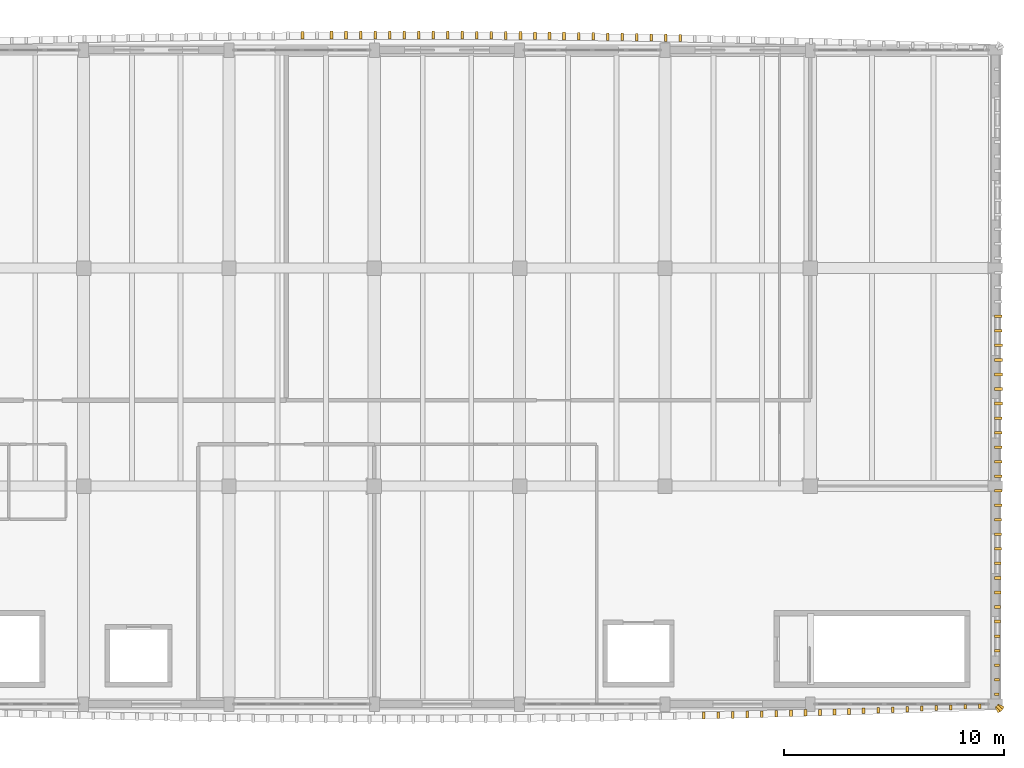
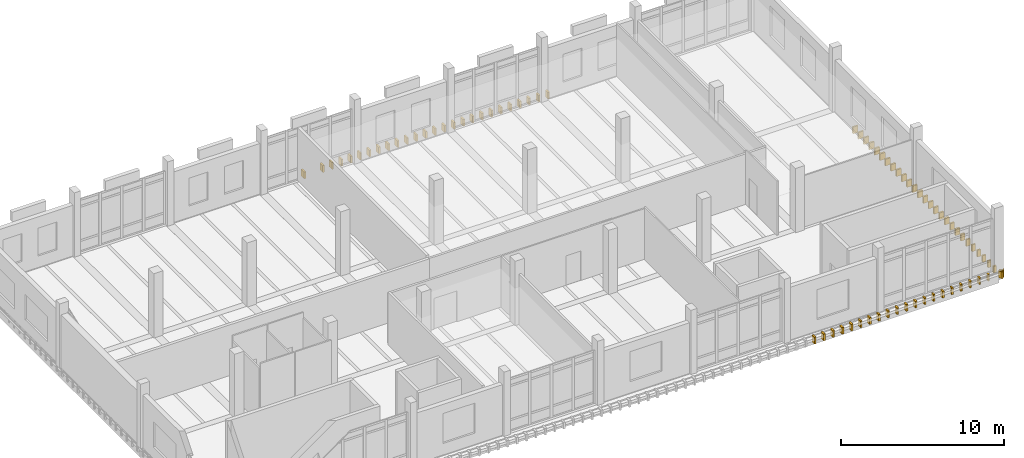
# One storey, part 36 of 37: 76 coverings.
"""IFC4 building model written with IfcOpenShell, lengths in metres."""

from ifc_helpers import new_model, si_unit, direction, frame, origin, origin_2d, place, context, subcontext, project, spatial, rectangle, extrude, material, layer, layer_set, type_object, element, save


model = new_model("IFC4")

# Units and contexts
model_context = context("Model", 3, precision=1e-05, world=origin(), true_north=direction((0.0, 1.0)))
body_context = subcontext(model_context, "Body", "Model", "MODEL_VIEW")
ifc_project = project(units=[si_unit("LENGTHUNIT", "METRE"), si_unit("AREAUNIT", "SQUARE_METRE"), si_unit("VOLUMEUNIT", "CUBIC_METRE"), si_unit("PLANEANGLEUNIT", "RADIAN"), si_unit("MASSUNIT", "GRAM", prefix="KILO")], contexts=[model_context])

# Site, building, storey
site_placement = place(None, origin())
site = spatial("IfcSite", under=ifc_project, at=site_placement, CompositionType="ELEMENT")
building_placement = place(site_placement, origin())
building = spatial("IfcBuilding", under=site, at=building_placement, Name="Dornvale Research Institute", CompositionType="ELEMENT")
storey_placement = place(building_placement, frame((0.0, 0.0, 29.39990234375)))
storey = spatial("IfcBuildingStorey", under=building, at=storey_placement, Name="L06", CompositionType="ELEMENT", Elevation=29.39990234375)

# Coverings
ifc_material = material(Name="Polychrome Glazed Terracotta Visor Rib Ceramic", Category="masonry")
ifc_layer = layer(ifc_material, 0.1201171875)
ifc_layer_set = layer_set([ifc_layer], Name="Polychrome Glazed Terracotta Visor Rib Ceramic")
covering_type = type_object("IfcCoveringType", Name="Covering_VisorBlade_Low", PredefinedType="CLADDING", material=ifc_layer_set)
covering_1_placement = place(storey_placement, frame((160.16162109375, 91.876953125, -0.489990234375), z_axis=(0.0, 0.0, 1.0), x_axis=(0.0, 1.0, 0.0)))
element("IfcCovering", 1, at=covering_1_placement, inside=storey, type_object=covering_type, Name="L06 V4 canted glazed terracotta visor blade #3087", PredefinedType="CLADDING", context=body_context, shape_type="SweptSolid", body=[
    extrude(rectangle(XDim=0.318115234375, YDim=0.1201171875, at=origin_2d()), origin(), (0.0, 0.0, 1.0), 0.5),
])
covering_2_placement = place(storey_placement, frame((160.821533203125, 91.893798828125, -0.489990234375), z_axis=(0.0, 0.0, 1.0), x_axis=(0.0, 1.0, 0.0)))
element("IfcCovering", 2, at=covering_2_placement, inside=storey, type_object=covering_type, Name="L06 V4 canted glazed terracotta visor blade #3088", PredefinedType="CLADDING", context=body_context, shape_type="SweptSolid", body=[
    extrude(rectangle(XDim=0.31298828125, YDim=0.1201171875, at=origin_2d()), origin(), (0.0, 0.0, 1.0), 0.5),
])
covering_3_placement = place(storey_placement, frame((161.481201171875, 91.910400390625, -0.489990234375), z_axis=(0.0, 0.0, 1.0), x_axis=(0.0, 1.0, 0.0)))
element("IfcCovering", 3, at=covering_3_placement, inside=storey, type_object=covering_type, Name="L06 V4 canted glazed terracotta visor blade #3089", PredefinedType="CLADDING", context=body_context, shape_type="SweptSolid", body=[
    extrude(rectangle(XDim=0.30908203125, YDim=0.1201171875, at=origin_2d()), origin(), (0.0, 0.0, 1.0), 0.5),
])
covering_4_placement = place(storey_placement, frame((162.14111328125, 91.927734375, -0.489990234375), z_axis=(0.0, 0.0, 1.0), x_axis=(0.0, 1.0, 0.0)))
element("IfcCovering", 4, at=covering_4_placement, inside=storey, type_object=covering_type, Name="L06 V4 canted glazed terracotta visor blade #3090", PredefinedType="CLADDING", context=body_context, shape_type="SweptSolid", body=[
    extrude(rectangle(XDim=0.304931640625, YDim=0.1201171875, at=origin_2d()), origin(), (0.0, 0.0, 1.0), 0.5),
])
covering_5_placement = place(storey_placement, frame((162.80078125, 91.9462890625, -0.489990234375), z_axis=(0.0, 0.0, 1.0), x_axis=(0.0, 1.0, 0.0)))
element("IfcCovering", 5, at=covering_5_placement, inside=storey, type_object=covering_type, Name="L06 V4 canted glazed terracotta visor blade #3091", PredefinedType="CLADDING", context=body_context, shape_type="SweptSolid", body=[
    extrude(rectangle(XDim=0.300048828125, YDim=0.1201171875, at=origin_2d()), origin(), (0.0, 0.0, 1.0), 0.5),
])
covering_6_placement = place(storey_placement, frame((163.460693359375, 91.96484375, -0.489990234375), z_axis=(0.0, 0.0, 1.0), x_axis=(0.0, 1.0, 0.0)))
element("IfcCovering", 6, at=covering_6_placement, inside=storey, type_object=covering_type, Name="L06 V4 canted glazed terracotta visor blade #3092", PredefinedType="CLADDING", context=body_context, shape_type="SweptSolid", body=[
    extrude(rectangle(XDim=0.294921875, YDim=0.1201171875, at=origin_2d()), origin(), (0.0, 0.0, 1.0), 0.5),
])
covering_7_placement = place(storey_placement, frame((164.12060546875, 91.985107421875, -0.489990234375), z_axis=(0.0, 0.0, 1.0), x_axis=(0.0, 1.0, 0.0)))
element("IfcCovering", 7, at=covering_7_placement, inside=storey, type_object=covering_type, Name="L06 V4 canted glazed terracotta visor blade #3093", PredefinedType="CLADDING", context=body_context, shape_type="SweptSolid", body=[
    extrude(rectangle(XDim=0.2900390625, YDim=0.1201171875, at=origin_2d()), origin(), (0.0, 0.0, 1.0), 0.5),
])
covering_8_placement = place(storey_placement, frame((164.7802734375, 92.00537109375, -0.489990234375), z_axis=(0.0, 0.0, 1.0), x_axis=(0.0, 1.0, 0.0)))
element("IfcCovering", 8, at=covering_8_placement, inside=storey, type_object=covering_type, Name="L06 V4 canted glazed terracotta visor blade #3094", PredefinedType="CLADDING", context=body_context, shape_type="SweptSolid", body=[
    extrude(rectangle(XDim=0.284912109375, YDim=0.1201171875, at=origin_2d()), origin(), (0.0, 0.0, 1.0), 0.5),
])
covering_9_placement = place(storey_placement, frame((165.43994140625, 92.0263671875, -0.489990234375), z_axis=(0.0, 0.0, 1.0), x_axis=(0.0, 1.0, 0.0)))
element("IfcCovering", 9, at=covering_9_placement, inside=storey, type_object=covering_type, Name="L06 V4 canted glazed terracotta visor blade #3095", PredefinedType="CLADDING", context=body_context, shape_type="SweptSolid", body=[
    extrude(rectangle(XDim=0.280029296875, YDim=0.1201171875, at=origin_2d()), origin(), (0.0, 0.0, 1.0), 0.5),
])
covering_10_placement = place(storey_placement, frame((166.099609375, 92.048583984375, -0.489990234375), z_axis=(0.0, 0.0, 1.0), x_axis=(0.0, 1.0, 0.0)))
element("IfcCovering", 10, at=covering_10_placement, inside=storey, type_object=covering_type, Name="L06 V4 canted glazed terracotta visor blade #3096", PredefinedType="CLADDING", context=body_context, shape_type="SweptSolid", body=[
    extrude(rectangle(XDim=0.27392578125, YDim=0.1201171875, at=origin_2d()), origin(), (0.0, 0.0, 1.0), 0.5),
])
covering_11_placement = place(storey_placement, frame((166.759521484375, 92.071044921875, -0.489990234375), z_axis=(0.0, 0.0, 1.0), x_axis=(0.0, 1.0, 0.0)))
element("IfcCovering", 11, at=covering_11_placement, inside=storey, type_object=covering_type, Name="L06 V4 canted glazed terracotta visor blade #3097", PredefinedType="CLADDING", context=body_context, shape_type="SweptSolid", body=[
    extrude(rectangle(XDim=0.26806640625, YDim=0.1201171875, at=origin_2d()), origin(), (0.0, 0.0, 1.0), 0.5),
])
covering_12_placement = place(storey_placement, frame((167.419189453125, 92.094970703125, -0.489990234375), z_axis=(0.0, 0.0, 1.0), x_axis=(0.0, 1.0, 0.0)))
element("IfcCovering", 12, at=covering_12_placement, inside=storey, type_object=covering_type, Name="L06 V4 canted glazed terracotta visor blade #3098", PredefinedType="CLADDING", context=body_context, shape_type="SweptSolid", body=[
    extrude(rectangle(XDim=0.261962890625, YDim=0.1201171875, at=origin_2d()), origin(), (0.0, 0.0, 1.0), 0.5),
])
covering_13_placement = place(storey_placement, frame((168.078857421875, 92.118896484375, -0.489990234375), z_axis=(0.0, 0.0, 1.0), x_axis=(0.0, 1.0, 0.0)))
element("IfcCovering", 13, at=covering_13_placement, inside=storey, type_object=covering_type, Name="L06 V4 canted glazed terracotta visor blade #3099", PredefinedType="CLADDING", context=body_context, shape_type="SweptSolid", body=[
    extrude(rectangle(XDim=0.256103515625, YDim=0.1201171875, at=origin_2d()), origin(), (0.0, 0.0, 1.0), 0.5),
])
covering_14_placement = place(storey_placement, frame((168.73828125, 92.1435546875, -0.489990234375), z_axis=(0.0, 0.0, 1.0), x_axis=(0.0, 1.0, 0.0)))
element("IfcCovering", 14, at=covering_14_placement, inside=storey, type_object=covering_type, Name="L06 V4 canted glazed terracotta visor blade #3100", PredefinedType="CLADDING", context=body_context, shape_type="SweptSolid", body=[
    extrude(rectangle(XDim=0.25, YDim=0.1201171875, at=origin_2d()), origin(), (0.0, 0.0, 1.0), 0.5),
])
covering_15_placement = place(storey_placement, frame((169.39794921875, 92.16943359375, -0.489990234375), z_axis=(0.0, 0.0, 1.0), x_axis=(0.0, 1.0, 0.0)))
element("IfcCovering", 15, at=covering_15_placement, inside=storey, type_object=covering_type, Name="L06 V4 canted glazed terracotta visor blade #3101", PredefinedType="CLADDING", context=body_context, shape_type="SweptSolid", body=[
    extrude(rectangle(XDim=0.242919921875, YDim=0.1201171875, at=origin_2d()), origin(), (0.0, 0.0, 1.0), 0.5),
])
covering_16_placement = place(storey_placement, frame((170.0576171875, 92.195068359375, -0.489990234375), z_axis=(0.0, 0.0, 1.0), x_axis=(0.0, 1.0, 0.0)))
element("IfcCovering", 16, at=covering_16_placement, inside=storey, type_object=covering_type, Name="L06 V4 canted glazed terracotta visor blade #3102", PredefinedType="CLADDING", context=body_context, shape_type="SweptSolid", body=[
    extrude(rectangle(XDim=0.237060546875, YDim=0.1201171875, at=origin_2d()), origin(), (0.0, 0.0, 1.0), 0.5),
])
covering_17_placement = place(storey_placement, frame((170.71728515625, 92.22265625, -0.489990234375), z_axis=(0.0, 0.0, 1.0), x_axis=(0.0, 1.0, 0.0)))
element("IfcCovering", 17, at=covering_17_placement, inside=storey, type_object=covering_type, Name="L06 V4 canted glazed terracotta visor blade #3103", PredefinedType="CLADDING", context=body_context, shape_type="SweptSolid", body=[
    extrude(rectangle(XDim=0.22998046875, YDim=0.1201171875, at=origin_2d()), origin(), (0.0, 0.0, 1.0), 0.5),
])
covering_18_placement = place(storey_placement, frame((171.376708984375, 92.25048828125, -0.489990234375), z_axis=(0.0, 0.0, 1.0), x_axis=(0.0, 1.0, 0.0)))
element("IfcCovering", 18, at=covering_18_placement, inside=storey, type_object=covering_type, Name="L06 V4 canted glazed terracotta visor blade #3104", PredefinedType="CLADDING", context=body_context, shape_type="SweptSolid", body=[
    extrude(rectangle(XDim=0.222900390625, YDim=0.1201171875, at=origin_2d()), origin(), (0.0, 0.0, 1.0), 0.5),
])
covering_19_placement = place(storey_placement, frame((172.036376953125, 92.27880859375, -0.489990234375), z_axis=(0.0, 0.0, 1.0), x_axis=(0.0, 1.0, 0.0)))
element("IfcCovering", 19, at=covering_19_placement, inside=storey, type_object=covering_type, Name="L06 V4 canted glazed terracotta visor blade #3105", PredefinedType="CLADDING", context=body_context, shape_type="SweptSolid", body=[
    extrude(rectangle(XDim=0.216064453125, YDim=0.1201171875, at=origin_2d()), origin(), (0.0, 0.0, 1.0), 0.5),
])
covering_20_placement = place(storey_placement, frame((172.69580078125, 92.30859375, -0.489990234375), z_axis=(0.0, 0.0, 1.0), x_axis=(0.0, 1.0, 0.0)))
element("IfcCovering", 20, at=covering_20_placement, inside=storey, type_object=covering_type, Name="L06 V4 canted glazed terracotta visor blade #3106", PredefinedType="CLADDING", context=body_context, shape_type="SweptSolid", body=[
    extrude(rectangle(XDim=0.2080078125, YDim=0.1201171875, at=origin_2d()), origin(), (0.0, 0.0, 1.0), 0.5),
])
covering_21_placement = place(storey_placement, frame((159.0966796875, 122.64697265625, -0.489990234375), z_axis=(0.0, 0.0, 1.0), x_axis=(0.0, 1.0, 0.0)))
element("IfcCovering", 21, at=covering_21_placement, inside=storey, type_object=covering_type, Name="L06 V4 canted glazed terracotta visor blade #3128", PredefinedType="CLADDING", context=body_context, shape_type="SweptSolid", body=[
    extrude(rectangle(XDim=0.323974609375, YDim=0.1201171875, at=origin_2d()), origin(), (0.0, 0.0, 1.0), 0.5),
])
covering_22_placement = place(storey_placement, frame((158.436767578125, 122.6611328125, -0.489990234375), z_axis=(0.0, 0.0, 1.0), x_axis=(0.0, 1.0, 0.0)))
element("IfcCovering", 22, at=covering_22_placement, inside=storey, type_object=covering_type, Name="L06 V4 canted glazed terracotta visor blade #3129", PredefinedType="CLADDING", context=body_context, shape_type="SweptSolid", body=[
    extrude(rectangle(XDim=0.326904296875, YDim=0.1201171875, at=origin_2d()), origin(), (0.0, 0.0, 1.0), 0.5),
])
covering_23_placement = place(storey_placement, frame((157.77685546875, 122.67431640625, -0.489990234375), z_axis=(0.0, 0.0, 1.0), x_axis=(0.0, 1.0, 0.0)))
element("IfcCovering", 23, at=covering_23_placement, inside=storey, type_object=covering_type, Name="L06 V4 canted glazed terracotta visor blade #3130", PredefinedType="CLADDING", context=body_context, shape_type="SweptSolid", body=[
    extrude(rectangle(XDim=0.3310546875, YDim=0.1201171875, at=origin_2d()), origin(), (0.0, 0.0, 1.0), 0.5),
])
covering_24_placement = place(storey_placement, frame((157.116943359375, 122.68701171875, -0.489990234375), z_axis=(0.0, 0.0, 1.0), x_axis=(0.0, 1.0, 0.0)))
element("IfcCovering", 24, at=covering_24_placement, inside=storey, type_object=covering_type, Name="L06 V4 canted glazed terracotta visor blade #3131", PredefinedType="CLADDING", context=body_context, shape_type="SweptSolid", body=[
    extrude(rectangle(XDim=0.333984375, YDim=0.1201171875, at=origin_2d()), origin(), (0.0, 0.0, 1.0), 0.5),
])
covering_25_placement = place(storey_placement, frame((156.45703125, 122.698974609375, -0.489990234375), z_axis=(0.0, 0.0, 1.0), x_axis=(0.0, 1.0, 0.0)))
element("IfcCovering", 25, at=covering_25_placement, inside=storey, type_object=covering_type, Name="L06 V4 canted glazed terracotta visor blade #3132", PredefinedType="CLADDING", context=body_context, shape_type="SweptSolid", body=[
    extrude(rectangle(XDim=0.3369140625, YDim=0.1201171875, at=origin_2d()), origin(), (0.0, 0.0, 1.0), 0.5),
])
covering_26_placement = place(storey_placement, frame((155.797119140625, 122.710205078125, -0.489990234375), z_axis=(0.0, 0.0, 1.0), x_axis=(0.0, 1.0, 0.0)))
element("IfcCovering", 26, at=covering_26_placement, inside=storey, type_object=covering_type, Name="L06 V4 canted glazed terracotta visor blade #3133", PredefinedType="CLADDING", context=body_context, shape_type="SweptSolid", body=[
    extrude(rectangle(XDim=0.340087890625, YDim=0.1201171875, at=origin_2d()), origin(), (0.0, 0.0, 1.0), 0.5),
])
covering_27_placement = place(storey_placement, frame((155.13720703125, 122.720703125, -0.489990234375), z_axis=(0.0, 0.0, 1.0), x_axis=(0.0, 1.0, 0.0)))
element("IfcCovering", 27, at=covering_27_placement, inside=storey, type_object=covering_type, Name="L06 V4 canted glazed terracotta visor blade #3134", PredefinedType="CLADDING", context=body_context, shape_type="SweptSolid", body=[
    extrude(rectangle(XDim=0.342041015625, YDim=0.1201171875, at=origin_2d()), origin(), (0.0, 0.0, 1.0), 0.5),
])
covering_28_placement = place(storey_placement, frame((154.477294921875, 122.730224609375, -0.489990234375), z_axis=(0.0, 0.0, 1.0), x_axis=(0.0, 1.0, 0.0)))
element("IfcCovering", 28, at=covering_28_placement, inside=storey, type_object=covering_type, Name="L06 V4 canted glazed terracotta visor blade #3135", PredefinedType="CLADDING", context=body_context, shape_type="SweptSolid", body=[
    extrude(rectangle(XDim=0.344970703125, YDim=0.1201171875, at=origin_2d()), origin(), (0.0, 0.0, 1.0), 0.5),
])
covering_29_placement = place(storey_placement, frame((153.817138671875, 122.7392578125, -0.489990234375), z_axis=(0.0, 0.0, 1.0), x_axis=(0.0, 1.0, 0.0)))
element("IfcCovering", 29, at=covering_29_placement, inside=storey, type_object=covering_type, Name="L06 V4 canted glazed terracotta visor blade #3136", PredefinedType="CLADDING", context=body_context, shape_type="SweptSolid", body=[
    extrude(rectangle(XDim=0.346923828125, YDim=0.1201171875, at=origin_2d()), origin(), (0.0, 0.0, 1.0), 0.5),
])
covering_30_placement = place(storey_placement, frame((153.1572265625, 122.747314453125, -0.489990234375), z_axis=(0.0, 0.0, 1.0), x_axis=(0.0, 1.0, 0.0)))
element("IfcCovering", 30, at=covering_30_placement, inside=storey, type_object=covering_type, Name="L06 V4 canted glazed terracotta visor blade #3137", PredefinedType="CLADDING", context=body_context, shape_type="SweptSolid", body=[
    extrude(rectangle(XDim=0.34912109375, YDim=0.1201171875, at=origin_2d()), origin(), (0.0, 0.0, 1.0), 0.5),
])
covering_31_placement = place(storey_placement, frame((152.497314453125, 122.7548828125, -0.489990234375), z_axis=(0.0, 0.0, 1.0), x_axis=(0.0, 1.0, 0.0)))
element("IfcCovering", 31, at=covering_31_placement, inside=storey, type_object=covering_type, Name="L06 V4 canted glazed terracotta visor blade #3138", PredefinedType="CLADDING", context=body_context, shape_type="SweptSolid", body=[
    extrude(rectangle(XDim=0.35107421875, YDim=0.1201171875, at=origin_2d()), origin(), (0.0, 0.0, 1.0), 0.5),
])
covering_32_placement = place(storey_placement, frame((151.83740234375, 122.76220703125, -0.489990234375), z_axis=(0.0, 0.0, 1.0), x_axis=(0.0, 1.0, 0.0)))
element("IfcCovering", 32, at=covering_32_placement, inside=storey, type_object=covering_type, Name="L06 V4 canted glazed terracotta visor blade #3139", PredefinedType="CLADDING", context=body_context, shape_type="SweptSolid", body=[
    extrude(rectangle(XDim=0.35302734375, YDim=0.1201171875, at=origin_2d()), origin(), (0.0, 0.0, 1.0), 0.5),
])
covering_33_placement = place(storey_placement, frame((151.17724609375, 122.767578125, -0.489990234375), z_axis=(0.0, 0.0, 1.0), x_axis=(0.0, 1.0, 0.0)))
element("IfcCovering", 33, at=covering_33_placement, inside=storey, type_object=covering_type, Name="L06 V4 canted glazed terracotta visor blade #3140", PredefinedType="CLADDING", context=body_context, shape_type="SweptSolid", body=[
    extrude(rectangle(XDim=0.35400390625, YDim=0.1201171875, at=origin_2d()), origin(), (0.0, 0.0, 1.0), 0.5),
])
covering_34_placement = place(storey_placement, frame((150.517333984375, 122.773193359375, -0.489990234375), z_axis=(0.0, 0.0, 1.0), x_axis=(0.0, 1.0, 0.0)))
element("IfcCovering", 34, at=covering_34_placement, inside=storey, type_object=covering_type, Name="L06 V4 canted glazed terracotta visor blade #3141", PredefinedType="CLADDING", context=body_context, shape_type="SweptSolid", body=[
    extrude(rectangle(XDim=0.35595703125, YDim=0.1201171875, at=origin_2d()), origin(), (0.0, 0.0, 1.0), 0.5),
])
covering_35_placement = place(storey_placement, frame((149.857421875, 122.77783203125, -0.489990234375), z_axis=(0.0, 0.0, 1.0), x_axis=(0.0, 1.0, 0.0)))
element("IfcCovering", 35, at=covering_35_placement, inside=storey, type_object=covering_type, Name="L06 V4 canted glazed terracotta visor blade #3142", PredefinedType="CLADDING", context=body_context, shape_type="SweptSolid", body=[
    extrude(rectangle(XDim=0.35693359375, YDim=0.1201171875, at=origin_2d()), origin(), (0.0, 0.0, 1.0), 0.5),
])
covering_36_placement = place(storey_placement, frame((149.197509765625, 122.781494140625, -0.489990234375), z_axis=(0.0, 0.0, 1.0), x_axis=(0.0, 1.0, 0.0)))
element("IfcCovering", 36, at=covering_36_placement, inside=storey, type_object=covering_type, Name="L06 V4 canted glazed terracotta visor blade #3143", PredefinedType="CLADDING", context=body_context, shape_type="SweptSolid", body=[
    extrude(rectangle(XDim=0.35791015625, YDim=0.1201171875, at=origin_2d()), origin(), (0.0, 0.0, 1.0), 0.5),
])
for number, where, z_axis, x_axis, name in (
    (37, (148.537353515625, 122.78515625, -0.489990234375), (0.0, 0.0, 1.0), (0.0, 1.0, 0.0), "L06 V4 canted glazed terracotta visor blade #3144"),
    (38, (147.87744140625, 122.78662109375, -0.489990234375), (0.0, 0.0, 1.0), (0.0, 1.0, 0.0), "L06 V4 canted glazed terracotta visor blade #3145"),
):
    element("IfcCovering", number, at=place(storey_placement, frame(where, z_axis=z_axis, x_axis=x_axis)), inside=storey, type_object=covering_type, Name=name, PredefinedType="CLADDING", context=body_context, shape_type="SweptSolid", body=[
        extrude(rectangle(XDim=0.35888671875, YDim=0.1201171875, at=origin_2d()), origin(), (0.0, 0.0, 1.0), 0.5),
    ])
for number, where, z_axis, x_axis, name in (
    (39, (147.21728515625, 122.788818359375, -0.489990234375), (0.0, 0.0, 1.0), (0.0, 1.0, 0.0), "L06 V4 canted glazed terracotta visor blade #3146"),
    (40, (146.557373046875, 122.78955078125, -0.489990234375), (0.0, 0.0, 1.0), (0.0, 1.0, 0.0), "L06 V4 canted glazed terracotta visor blade #3147"),
    (41, (145.8974609375, 122.78955078125, -0.489990234375), (0.0, 0.0, 1.0), (0.0, 1.0, 0.0), "L06 V4 canted glazed terracotta visor blade #3148"),
    (42, (145.2373046875, 122.789306640625, -0.489990234375), (0.0, 0.0, 1.0), (0.0, 1.0, 0.0), "L06 V4 canted glazed terracotta visor blade #3149"),
    (43, (144.577392578125, 122.787841796875, -0.489990234375), (0.0, 0.0, 1.0), (0.0, 1.0, 0.0), "L06 V4 canted glazed terracotta visor blade #3150"),
):
    element("IfcCovering", number, at=place(storey_placement, frame(where, z_axis=z_axis, x_axis=x_axis)), inside=storey, type_object=covering_type, Name=name, PredefinedType="CLADDING", context=body_context, shape_type="SweptSolid", body=[
        extrude(rectangle(XDim=0.360107421875, YDim=0.1201171875, at=origin_2d()), origin(), (0.0, 0.0, 1.0), 0.5),
    ])
covering_37_placement = place(storey_placement, frame((143.91748046875, 122.78564453125, -0.489990234375), z_axis=(0.0, 0.0, 1.0), x_axis=(0.0, 1.0, 0.0)))
element("IfcCovering", 44, at=covering_37_placement, inside=storey, type_object=covering_type, Name="L06 V4 canted glazed terracotta visor blade #3151", PredefinedType="CLADDING", context=body_context, shape_type="SweptSolid", body=[
    extrude(rectangle(XDim=0.35888671875, YDim=0.1201171875, at=origin_2d()), origin(), (0.0, 0.0, 1.0), 0.5),
])
covering_38_placement = place(storey_placement, frame((143.25732421875, 122.78271484375, -0.489990234375), z_axis=(0.0, 0.0, 1.0), x_axis=(0.0, 1.0, 0.0)))
element("IfcCovering", 45, at=covering_38_placement, inside=storey, type_object=covering_type, Name="L06 V4 canted glazed terracotta visor blade #3152", PredefinedType="CLADDING", context=body_context, shape_type="SweptSolid", body=[
    extrude(rectangle(XDim=0.35791015625, YDim=0.1201171875, at=origin_2d()), origin(), (0.0, 0.0, 1.0), 0.5),
])
covering_39_placement = place(storey_placement, frame((141.9375, 122.775146484375, -0.489990234375), z_axis=(0.0, 0.0, 1.0), x_axis=(0.0, 1.0, 0.0)))
element("IfcCovering", 46, at=covering_39_placement, inside=storey, type_object=covering_type, Name="L06 V4 canted glazed terracotta visor blade #3154", PredefinedType="CLADDING", context=body_context, shape_type="SweptSolid", body=[
    extrude(rectangle(XDim=0.35595703125, YDim=0.1201171875, at=origin_2d()), origin(), (0.0, 0.0, 1.0), 0.5),
])
covering_40_placement = place(storey_placement, frame((173.465087890625, 92.85009765625, -0.489990234375), z_axis=(0.0, 0.0, 1.0), x_axis=(1.0, 0.0, 0.0)))
element("IfcCovering", 47, at=covering_40_placement, inside=storey, type_object=covering_type, Name="L06 V4 canted glazed terracotta visor blade #3189", PredefinedType="CLADDING", context=body_context, shape_type="SweptSolid", body=[
    extrude(rectangle(XDim=0.2099609375, YDim=0.1201171875, at=origin_2d()), origin(), (0.0, 0.0, 1.0), 0.5),
])
covering_41_placement = place(storey_placement, frame((173.471435546875, 93.510009765625, -0.489990234375), z_axis=(0.0, 0.0, 1.0), x_axis=(1.0, 0.0, 0.0)))
element("IfcCovering", 48, at=covering_41_placement, inside=storey, type_object=covering_type, Name="L06 V4 canted glazed terracotta visor blade #3190", PredefinedType="CLADDING", context=body_context, shape_type="SweptSolid", body=[
    extrude(rectangle(XDim=0.222900390625, YDim=0.1201171875, at=origin_2d()), origin(), (0.0, 0.0, 1.0), 0.5),
])
covering_42_placement = place(storey_placement, frame((173.47802734375, 94.169921875, -0.489990234375), z_axis=(0.0, 0.0, 1.0), x_axis=(1.0, 0.0, 0.0)))
element("IfcCovering", 49, at=covering_42_placement, inside=storey, type_object=covering_type, Name="L06 V4 canted glazed terracotta visor blade #3191", PredefinedType="CLADDING", context=body_context, shape_type="SweptSolid", body=[
    extrude(rectangle(XDim=0.236083984375, YDim=0.1201171875, at=origin_2d()), origin(), (0.0, 0.0, 1.0), 0.5),
])
covering_43_placement = place(storey_placement, frame((173.48388671875, 94.830078125, -0.489990234375), z_axis=(0.0, 0.0, 1.0), x_axis=(1.0, 0.0, 0.0)))
element("IfcCovering", 50, at=covering_43_placement, inside=storey, type_object=covering_type, Name="L06 V4 canted glazed terracotta visor blade #3192", PredefinedType="CLADDING", context=body_context, shape_type="SweptSolid", body=[
    extrude(rectangle(XDim=0.248046875, YDim=0.1201171875, at=origin_2d()), origin(), (0.0, 0.0, 1.0), 0.5),
])
covering_44_placement = place(storey_placement, frame((173.489990234375, 95.489990234375, -0.489990234375), z_axis=(0.0, 0.0, 1.0), x_axis=(1.0, 0.0, 0.0)))
element("IfcCovering", 51, at=covering_44_placement, inside=storey, type_object=covering_type, Name="L06 V4 canted glazed terracotta visor blade #3193", PredefinedType="CLADDING", context=body_context, shape_type="SweptSolid", body=[
    extrude(rectangle(XDim=0.260009765625, YDim=0.1201171875, at=origin_2d()), origin(), (0.0, 0.0, 1.0), 0.5),
])
covering_45_placement = place(storey_placement, frame((173.49560546875, 96.14990234375, -0.489990234375), z_axis=(0.0, 0.0, 1.0), x_axis=(1.0, 0.0, 0.0)))
element("IfcCovering", 52, at=covering_45_placement, inside=storey, type_object=covering_type, Name="L06 V4 canted glazed terracotta visor blade #3194", PredefinedType="CLADDING", context=body_context, shape_type="SweptSolid", body=[
    extrude(rectangle(XDim=0.27099609375, YDim=0.1201171875, at=origin_2d()), origin(), (0.0, 0.0, 1.0), 0.5),
])
covering_46_placement = place(storey_placement, frame((173.50048828125, 96.81005859375, -0.489990234375), z_axis=(0.0, 0.0, 1.0), x_axis=(1.0, 0.0, 0.0)))
element("IfcCovering", 53, at=covering_46_placement, inside=storey, type_object=covering_type, Name="L06 V4 canted glazed terracotta visor blade #3195", PredefinedType="CLADDING", context=body_context, shape_type="SweptSolid", body=[
    extrude(rectangle(XDim=0.281005859375, YDim=0.1201171875, at=origin_2d()), origin(), (0.0, 0.0, 1.0), 0.5),
])
covering_47_placement = place(storey_placement, frame((173.505615234375, 97.469970703125, -0.489990234375), z_axis=(0.0, 0.0, 1.0), x_axis=(1.0, 0.0, 0.0)))
element("IfcCovering", 54, at=covering_47_placement, inside=storey, type_object=covering_type, Name="L06 V4 canted glazed terracotta visor blade #3196", PredefinedType="CLADDING", context=body_context, shape_type="SweptSolid", body=[
    extrude(rectangle(XDim=0.291015625, YDim=0.1201171875, at=origin_2d()), origin(), (0.0, 0.0, 1.0), 0.5),
])
covering_48_placement = place(storey_placement, frame((173.510009765625, 98.1298828125, -0.489990234375), z_axis=(0.0, 0.0, 1.0), x_axis=(1.0, 0.0, 0.0)))
element("IfcCovering", 55, at=covering_48_placement, inside=storey, type_object=covering_type, Name="L06 V4 canted glazed terracotta visor blade #3197", PredefinedType="CLADDING", context=body_context, shape_type="SweptSolid", body=[
    extrude(rectangle(XDim=0.300048828125, YDim=0.1201171875, at=origin_2d()), origin(), (0.0, 0.0, 1.0), 0.5),
])
covering_49_placement = place(storey_placement, frame((173.513916015625, 98.7900390625, -0.489990234375), z_axis=(0.0, 0.0, 1.0), x_axis=(1.0, 0.0, 0.0)))
element("IfcCovering", 56, at=covering_49_placement, inside=storey, type_object=covering_type, Name="L06 V4 canted glazed terracotta visor blade #3198", PredefinedType="CLADDING", context=body_context, shape_type="SweptSolid", body=[
    extrude(rectangle(XDim=0.30810546875, YDim=0.1201171875, at=origin_2d()), origin(), (0.0, 0.0, 1.0), 0.5),
])
covering_50_placement = place(storey_placement, frame((173.51806640625, 99.449951171875, -0.489990234375), z_axis=(0.0, 0.0, 1.0), x_axis=(1.0, 0.0, 0.0)))
element("IfcCovering", 57, at=covering_50_placement, inside=storey, type_object=covering_type, Name="L06 V4 canted glazed terracotta visor blade #3199", PredefinedType="CLADDING", context=body_context, shape_type="SweptSolid", body=[
    extrude(rectangle(XDim=0.31591796875, YDim=0.1201171875, at=origin_2d()), origin(), (0.0, 0.0, 1.0), 0.5),
])
covering_51_placement = place(storey_placement, frame((173.521484375, 100.110107421875, -0.489990234375), z_axis=(0.0, 0.0, 1.0), x_axis=(1.0, 0.0, 0.0)))
element("IfcCovering", 58, at=covering_51_placement, inside=storey, type_object=covering_type, Name="L06 V4 canted glazed terracotta visor blade #3200", PredefinedType="CLADDING", context=body_context, shape_type="SweptSolid", body=[
    extrude(rectangle(XDim=0.322998046875, YDim=0.1201171875, at=origin_2d()), origin(), (0.0, 0.0, 1.0), 0.5),
])
covering_52_placement = place(storey_placement, frame((173.52490234375, 100.77001953125, -0.489990234375), z_axis=(0.0, 0.0, 1.0), x_axis=(1.0, 0.0, 0.0)))
element("IfcCovering", 59, at=covering_52_placement, inside=storey, type_object=covering_type, Name="L06 V4 canted glazed terracotta visor blade #3201", PredefinedType="CLADDING", context=body_context, shape_type="SweptSolid", body=[
    extrude(rectangle(XDim=0.330078125, YDim=0.1201171875, at=origin_2d()), origin(), (0.0, 0.0, 1.0), 0.5),
])
covering_53_placement = place(storey_placement, frame((173.527587890625, 101.429931640625, -0.489990234375), z_axis=(0.0, 0.0, 1.0), x_axis=(1.0, 0.0, 0.0)))
element("IfcCovering", 60, at=covering_53_placement, inside=storey, type_object=covering_type, Name="L06 V4 canted glazed terracotta visor blade #3202", PredefinedType="CLADDING", context=body_context, shape_type="SweptSolid", body=[
    extrude(rectangle(XDim=0.3349609375, YDim=0.1201171875, at=origin_2d()), origin(), (0.0, 0.0, 1.0), 0.5),
])
covering_54_placement = place(storey_placement, frame((173.530517578125, 102.090087890625, -0.489990234375), z_axis=(0.0, 0.0, 1.0), x_axis=(1.0, 0.0, 0.0)))
element("IfcCovering", 61, at=covering_54_placement, inside=storey, type_object=covering_type, Name="L06 V4 canted glazed terracotta visor blade #3203", PredefinedType="CLADDING", context=body_context, shape_type="SweptSolid", body=[
    extrude(rectangle(XDim=0.341064453125, YDim=0.1201171875, at=origin_2d()), origin(), (0.0, 0.0, 1.0), 0.5),
])
covering_55_placement = place(storey_placement, frame((173.532470703125, 102.75, -0.489990234375), z_axis=(0.0, 0.0, 1.0), x_axis=(1.0, 0.0, 0.0)))
element("IfcCovering", 62, at=covering_55_placement, inside=storey, type_object=covering_type, Name="L06 V4 canted glazed terracotta visor blade #3204", PredefinedType="CLADDING", context=body_context, shape_type="SweptSolid", body=[
    extrude(rectangle(XDim=0.344970703125, YDim=0.1201171875, at=origin_2d()), origin(), (0.0, 0.0, 1.0), 0.5),
])
covering_56_placement = place(storey_placement, frame((173.534423828125, 103.409912109375, -0.489990234375), z_axis=(0.0, 0.0, 1.0), x_axis=(1.0, 0.0, 0.0)))
element("IfcCovering", 63, at=covering_56_placement, inside=storey, type_object=covering_type, Name="L06 V4 canted glazed terracotta visor blade #3205", PredefinedType="CLADDING", context=body_context, shape_type="SweptSolid", body=[
    extrude(rectangle(XDim=0.34912109375, YDim=0.1201171875, at=origin_2d()), origin(), (0.0, 0.0, 1.0), 0.5),
])
covering_57_placement = place(storey_placement, frame((173.53662109375, 104.070068359375, -0.489990234375), z_axis=(0.0, 0.0, 1.0), x_axis=(1.0, 0.0, 0.0)))
element("IfcCovering", 64, at=covering_57_placement, inside=storey, type_object=covering_type, Name="L06 V4 canted glazed terracotta visor blade #3206", PredefinedType="CLADDING", context=body_context, shape_type="SweptSolid", body=[
    extrude(rectangle(XDim=0.35302734375, YDim=0.1201171875, at=origin_2d()), origin(), (0.0, 0.0, 1.0), 0.5),
])
covering_58_placement = place(storey_placement, frame((173.53759765625, 104.72998046875, -0.489990234375), z_axis=(0.0, 0.0, 1.0), x_axis=(1.0, 0.0, 0.0)))
element("IfcCovering", 65, at=covering_58_placement, inside=storey, type_object=covering_type, Name="L06 V4 canted glazed terracotta visor blade #3207", PredefinedType="CLADDING", context=body_context, shape_type="SweptSolid", body=[
    extrude(rectangle(XDim=0.35498046875, YDim=0.1201171875, at=origin_2d()), origin(), (0.0, 0.0, 1.0), 0.5),
])
covering_59_placement = place(storey_placement, frame((173.53857421875, 105.389892578125, -0.489990234375), z_axis=(0.0, 0.0, 1.0), x_axis=(1.0, 0.0, 0.0)))
element("IfcCovering", 66, at=covering_59_placement, inside=storey, type_object=covering_type, Name="L06 V4 canted glazed terracotta visor blade #3208", PredefinedType="CLADDING", context=body_context, shape_type="SweptSolid", body=[
    extrude(rectangle(XDim=0.35693359375, YDim=0.1201171875, at=origin_2d()), origin(), (0.0, 0.0, 1.0), 0.5),
])
covering_60_placement = place(storey_placement, frame((173.53955078125, 106.050048828125, -0.489990234375), z_axis=(0.0, 0.0, 1.0), x_axis=(1.0, 0.0, 0.0)))
element("IfcCovering", 67, at=covering_60_placement, inside=storey, type_object=covering_type, Name="L06 V4 canted glazed terracotta visor blade #3209", PredefinedType="CLADDING", context=body_context, shape_type="SweptSolid", body=[
    extrude(rectangle(XDim=0.35888671875, YDim=0.1201171875, at=origin_2d()), origin(), (0.0, 0.0, 1.0), 0.5),
])
for number, where, z_axis, x_axis, name in (
    (68, (173.5400390625, 106.7099609375, -0.489990234375), (0.0, 0.0, 1.0), (1.0, 0.0, 0.0), "L06 V4 canted glazed terracotta visor blade #3210"),
    (69, (173.5400390625, 107.3701171875, -0.489990234375), (0.0, 0.0, 1.0), (1.0, 0.0, 0.0), "L06 V4 canted glazed terracotta visor blade #3211"),
    (70, (173.5400390625, 108.030029296875, -0.489990234375), (0.0, 0.0, 1.0), (1.0, 0.0, 0.0), "L06 V4 canted glazed terracotta visor blade #3212"),
):
    element("IfcCovering", number, at=place(storey_placement, frame(where, z_axis=z_axis, x_axis=x_axis)), inside=storey, type_object=covering_type, Name=name, PredefinedType="CLADDING", context=body_context, shape_type="SweptSolid", body=[
        extrude(rectangle(XDim=0.360107421875, YDim=0.1201171875, at=origin_2d()), origin(), (0.0, 0.0, 1.0), 0.5),
    ])
covering_61_placement = place(storey_placement, frame((173.5390625, 108.68994140625, -0.489990234375), z_axis=(0.0, 0.0, 1.0), x_axis=(1.0, 0.0, 0.0)))
element("IfcCovering", 71, at=covering_61_placement, inside=storey, type_object=covering_type, Name="L06 V4 canted glazed terracotta visor blade #3213", PredefinedType="CLADDING", context=body_context, shape_type="SweptSolid", body=[
    extrude(rectangle(XDim=0.35791015625, YDim=0.1201171875, at=origin_2d()), origin(), (0.0, 0.0, 1.0), 0.5),
])
covering_62_placement = place(storey_placement, frame((173.53857421875, 109.35009765625, -0.489990234375), z_axis=(0.0, 0.0, 1.0), x_axis=(1.0, 0.0, 0.0)))
element("IfcCovering", 72, at=covering_62_placement, inside=storey, type_object=covering_type, Name="L06 V4 canted glazed terracotta visor blade #3214", PredefinedType="CLADDING", context=body_context, shape_type="SweptSolid", body=[
    extrude(rectangle(XDim=0.35693359375, YDim=0.1201171875, at=origin_2d()), origin(), (0.0, 0.0, 1.0), 0.5),
])
covering_63_placement = place(storey_placement, frame((173.537109375, 110.010009765625, -0.489990234375), z_axis=(0.0, 0.0, 1.0), x_axis=(1.0, 0.0, 0.0)))
element("IfcCovering", 73, at=covering_63_placement, inside=storey, type_object=covering_type, Name="L06 V4 canted glazed terracotta visor blade #3215", PredefinedType="CLADDING", context=body_context, shape_type="SweptSolid", body=[
    extrude(rectangle(XDim=0.35400390625, YDim=0.1201171875, at=origin_2d()), origin(), (0.0, 0.0, 1.0), 0.5),
])
for number, where, z_axis, x_axis, name in (
    (74, (173.510009765625, 92.164306640625, -0.489990234375), (0.0, 0.0, 1.0), (0.422618261741, -0.906307787037, 0.0), "L06 V4 corner-wrapping visor blade #3280"),
    (75, (173.583740234375, 92.21630859375, -0.489990234375), (0.0, 0.0, 1.0), (0.707106781187, -0.707106781187, 0.0), "L06 V4 corner-wrapping visor blade #3281"),
    (76, (173.635498046875, 92.2900390625, -0.489990234375), (0.0, 0.0, 1.0), (0.906307787037, -0.422618261741, 0.0), "L06 V4 corner-wrapping visor blade #3282"),
):
    element("IfcCovering", number, at=place(storey_placement, frame(where, z_axis=z_axis, x_axis=x_axis)), inside=storey, type_object=covering_type, Name=name, PredefinedType="CLADDING", context=body_context, shape_type="SweptSolid", body=[
        extrude(rectangle(XDim=0.300048828125, YDim=0.1201171875, at=origin_2d()), origin(), (0.0, 0.0, 1.0), 0.5),
    ])

save(model, "model.ifc")
